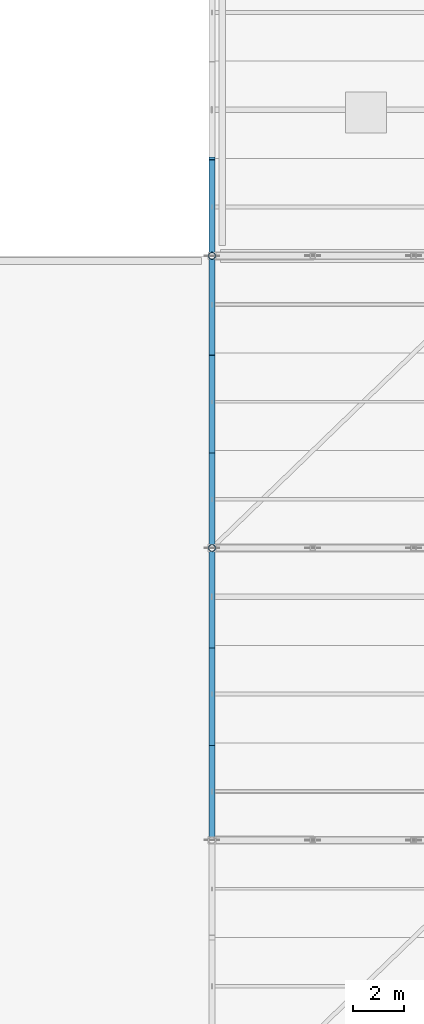
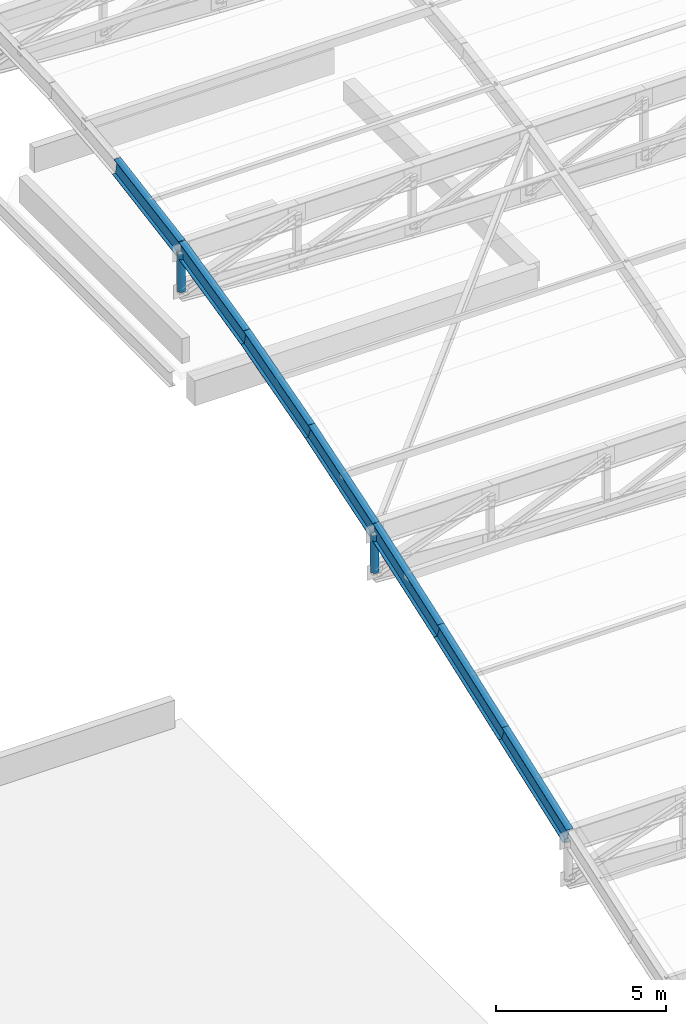
# One storey, part 5 of 65: 9 members.
"""IFC4 building model written with IfcOpenShell, lengths in metres."""

from ifc_helpers import new_model, si_unit, direction, frame, origin, origin_2d, place, context, subcontext, project, spatial, hollow_circle, i_section, extrude, material, material_profile, profile_set, type_object, element, save


model = new_model("IFC4")

# Units and contexts
model_context = context("Model", 3, precision=1e-05, world=origin(), true_north=direction((0.0, 1.0)))
body_context = subcontext(model_context, "Body", "Model", "MODEL_VIEW")
ifc_project = project(units=[si_unit("LENGTHUNIT", "METRE"), si_unit("AREAUNIT", "SQUARE_METRE"), si_unit("VOLUMEUNIT", "CUBIC_METRE"), si_unit("PLANEANGLEUNIT", "RADIAN"), si_unit("MASSUNIT", "GRAM", prefix="KILO"), si_unit("POWERUNIT", "WATT"), si_unit("THERMODYNAMICTEMPERATUREUNIT", "KELVIN")], contexts=[model_context])

# Site, building, storey
site_placement = place(None, origin())
site = spatial("IfcSite", under=ifc_project, at=site_placement, CompositionType="ELEMENT")
building_placement = place(site_placement, origin())
building = spatial("IfcBuilding", under=site, at=building_placement, Name="Kelmbourne Parkland Aquatics Centre", CompositionType="ELEMENT")
storey_placement = place(building_placement, frame((0.0, 0.0, 27.0)))
storey = spatial("IfcBuildingStorey", under=building, at=storey_placement, Name="RF", CompositionType="ELEMENT", Elevation=27.0)

# Members
ifc_material_1 = material(Name="Structural steel AS/NZS 3679.1 Grade 300", Category="steel")
ifc_material_profile_1 = material_profile(ifc_material_1, i_section(OverallWidth=0.22900390625, OverallDepth=0.612060546875, WebThickness=0.011962890625, FlangeThickness=0.01953125, at=origin_2d()), Name="610UB125")
ifc_profile_set_1 = profile_set([ifc_material_profile_1], Name="Structural steel AS/NZS 3679.1 Grade 300")
member_type_1 = type_object("IfcMemberType", Name="MB-LRIB", PredefinedType="STRUT", material=ifc_profile_set_1)
member_1_placement = place(storey_placement, frame((128.0, 80.60009765625, -7.18505859375), z_axis=(0.0, 0.939534064945, 0.342455458136), x_axis=(-1.0, 0.0, 0.0)))
element("IfcMember", 1, at=member_1_placement, inside=storey, type_object=member_type_1, Name="Longitudinal wave rib K0 strip 22", PredefinedType="STRUT", context=body_context, shape_type="SweptSolid", body=[
    extrude(i_section(OverallWidth=0.22900390625, OverallDepth=0.612060546875, WebThickness=0.011962890625, FlangeThickness=0.01953125, at=origin_2d()), origin(), (0.0, 0.0, 1.0), 4.04443359375),
])
member_2_placement = place(storey_placement, frame((128.0, 84.39990234375, -5.800048828125), z_axis=(0.0, 0.939521722115, 0.342489319067), x_axis=(-1.0, 0.0, 0.0)))
element("IfcMember", 2, at=member_2_placement, inside=storey, type_object=member_type_1, Name="Longitudinal wave rib K0 strip 23", PredefinedType="STRUT", context=body_context, shape_type="SweptSolid", body=[
    extrude(i_section(OverallWidth=0.22900390625, OverallDepth=0.612060546875, WebThickness=0.011962890625, FlangeThickness=0.01953125, at=origin_2d()), origin(), (0.0, 0.0, 1.0), 4.044677734375),
])
member_3_placement = place(storey_placement, frame((128.0, 88.199951171875, -4.414794921875), z_axis=(0.0, 0.943721214003, 0.330741999511), x_axis=(-1.0, 0.0, 0.0)))
element("IfcMember", 3, at=member_3_placement, inside=storey, type_object=member_type_1, Name="Longitudinal wave rib K0 strip 24", PredefinedType="STRUT", context=body_context, shape_type="SweptSolid", body=[
    extrude(i_section(OverallWidth=0.22900390625, OverallDepth=0.612060546875, WebThickness=0.011962890625, FlangeThickness=0.01953125, at=origin_2d()), origin(), (0.0, 0.0, 1.0), 4.026611328125),
])
member_4_placement = place(storey_placement, frame((128.0, 92.0, -3.0830078125), z_axis=(0.0, 0.951582923928, 0.307392158144), x_axis=(-1.0, 0.0, 0.0)))
element("IfcMember", 4, at=member_4_placement, inside=storey, type_object=member_type_1, Name="Longitudinal wave rib K0 strip 25", PredefinedType="STRUT", context=body_context, shape_type="SweptSolid", body=[
    extrude(i_section(OverallWidth=0.22900390625, OverallDepth=0.612060546875, WebThickness=0.011962890625, FlangeThickness=0.01953125, at=origin_2d()), origin(), (0.0, 0.0, 1.0), 3.993408203125),
])
member_5_placement = place(storey_placement, frame((128.0, 95.800048828125, -1.85546875), z_axis=(0.0, 0.962176700745, 0.272426130433), x_axis=(-1.0, 0.0, 0.0)))
element("IfcMember", 5, at=member_5_placement, inside=storey, type_object=member_type_1, Name="Longitudinal wave rib K0 strip 26", PredefinedType="STRUT", context=body_context, shape_type="SweptSolid", body=[
    extrude(i_section(OverallWidth=0.22900390625, OverallDepth=0.612060546875, WebThickness=0.011962890625, FlangeThickness=0.01953125, at=origin_2d()), origin(), (0.0, 0.0, 1.0), 3.949462890625),
])
member_6_placement = place(storey_placement, frame((128.0, 99.60009765625, -0.779541015625), z_axis=(0.0, 0.974043015696, 0.226362990733), x_axis=(-1.0, 0.0, 0.0)))
element("IfcMember", 6, at=member_6_placement, inside=storey, type_object=member_type_1, Name="Longitudinal wave rib K0 strip 27", PredefinedType="STRUT", context=body_context, shape_type="SweptSolid", body=[
    extrude(i_section(OverallWidth=0.22900390625, OverallDepth=0.612060546875, WebThickness=0.011962890625, FlangeThickness=0.01953125, at=origin_2d()), origin(), (0.0, 0.0, 1.0), 3.901123046875),
])
member_7_placement = place(storey_placement, frame((128.0, 103.39990234375, 0.103515625), z_axis=(0.0, 0.985424271637, 0.170114681522), x_axis=(-1.0, 0.0, 0.0)))
element("IfcMember", 7, at=member_7_placement, inside=storey, type_object=member_type_1, Name="Longitudinal wave rib K0 strip 28", PredefinedType="STRUT", context=body_context, shape_type="SweptSolid", body=[
    extrude(i_section(OverallWidth=0.22900390625, OverallDepth=0.612060546875, WebThickness=0.011962890625, FlangeThickness=0.01953125, at=origin_2d()), origin(), (0.0, 0.0, 1.0), 3.856201171875),
])
ifc_material_2 = material(Name="Cold-formed hollow steel AS/NZS 1163 C350L0", Category="steel")
ifc_material_profile_2 = material_profile(ifc_material_2, hollow_circle(Radius=0.136474609375, WallThickness=0.00927734375, at=origin_2d()), Name="CHS 273.1x9.3")
ifc_profile_set_2 = profile_set([ifc_material_profile_2], Name="Cold-formed hollow steel AS/NZS 1163 C350L0")
member_type_2 = type_object("IfcMemberType", Name="MB-POST2", PredefinedType="STRUT", material=ifc_profile_set_2)
member_8_placement = place(storey_placement, frame((128.0, 92.0, -4.5830078125), z_axis=(0.0, 0.0, 1.0), x_axis=(1.0, 0.0, 0.0)))
element("IfcMember", 8, at=member_8_placement, inside=storey, type_object=member_type_2, Name="Roof truss R08 vertical post 0", PredefinedType="STRUT", context=body_context, shape_type="SweptSolid", body=[
    extrude(hollow_circle(Radius=0.136474609375, WallThickness=0.00927734375, at=origin_2d()), origin(), (0.0, 0.0, 1.0), 1.380126953125),
])
member_9_placement = place(storey_placement, frame((128.0, 103.39990234375, -1.396484375), z_axis=(0.0, 0.0, 1.0), x_axis=(1.0, 0.0, 0.0)))
element("IfcMember", 9, at=member_9_placement, inside=storey, type_object=member_type_2, Name="Roof truss R09 vertical post 0", PredefinedType="STRUT", context=body_context, shape_type="SweptSolid", body=[
    extrude(hollow_circle(Radius=0.136474609375, WallThickness=0.00927734375, at=origin_2d()), origin(), (0.0, 0.0, 1.0), 1.3798828125),
])

save(model, "model.ifc")
